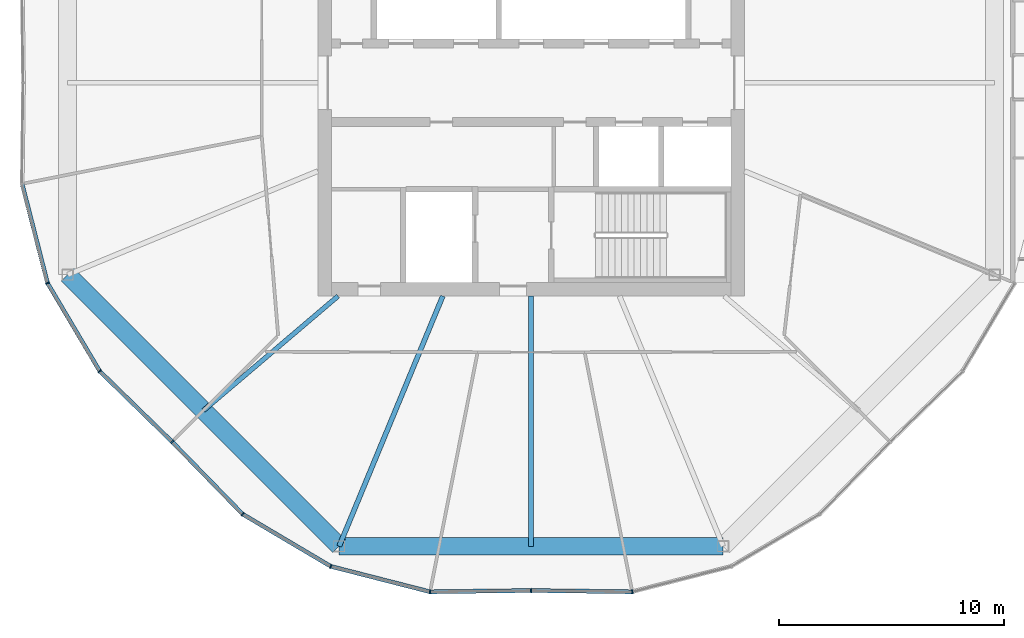
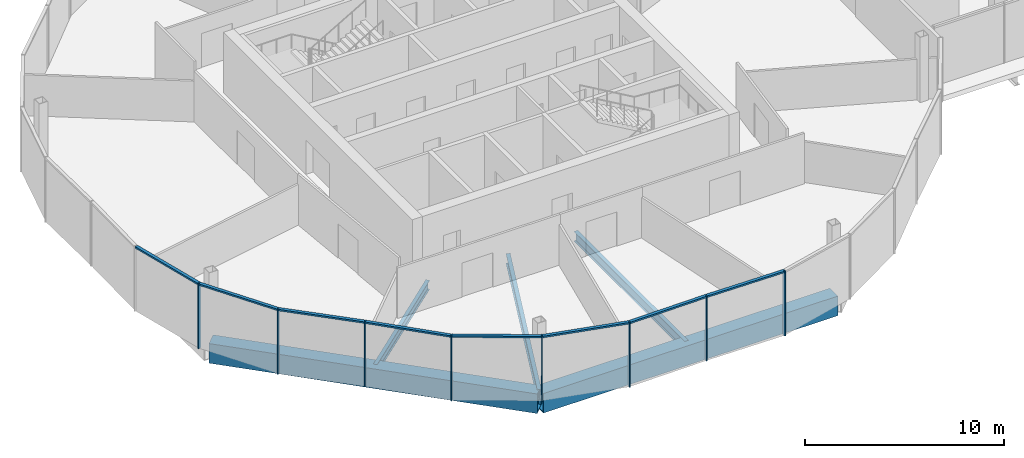
# One storey, part 3 of 26: 16 members, 5 beams, 3 elements without a shape of their own.
"""IFC4 building model written with IfcOpenShell, lengths in metres."""

from ifc_helpers import new_model, si_unit, direction, frame, origin, origin_2d, place, context, subcontext, project, spatial, rectangle, hollow_rectangle, i_section, extrude, material, material_profile, profile_set, type_object, element, aggregate, save


model = new_model("IFC4")

# Units and contexts
model_context = context("Model", 3, precision=1e-05, world=origin(), true_north=direction((0.0, 1.0)))
body_context = subcontext(model_context, "Body", "Model", "MODEL_VIEW")
ifc_project = project(units=[si_unit("LENGTHUNIT", "METRE"), si_unit("AREAUNIT", "SQUARE_METRE"), si_unit("VOLUMEUNIT", "CUBIC_METRE"), si_unit("PLANEANGLEUNIT", "RADIAN"), si_unit("MASSUNIT", "GRAM", prefix="KILO")], contexts=[model_context])

# Site, building, storey
site_placement = place(None, origin())
site = spatial("IfcSite", under=ifc_project, at=site_placement, CompositionType="ELEMENT")
building_placement = place(site_placement, origin())
building = spatial("IfcBuilding", under=site, at=building_placement, Name="Ogive Gate Towers", CompositionType="ELEMENT")
storey_placement = place(building_placement, frame((0.0, 0.0, 148.800048828125)))
storey = spatial("IfcBuildingStorey", under=building, at=storey_placement, Name="L35", CompositionType="ELEMENT", Elevation=148.800048828125)

# Beams
ifc_material_1 = material(Name="Steel SM460", Category="steel")
ifc_material_profile_1 = material_profile(ifc_material_1, hollow_rectangle(XDim=0.800048828125, YDim=1.199951171875, WallThickness=0.050048828125, at=origin_2d()), Name="BX 1200x800x50")
ifc_profile_set_1 = profile_set([ifc_material_profile_1], Name="Steel SM460")
beam_type_1 = type_object("IfcBeamType", Name="Edge girder BX 1200x800x50", PredefinedType="BEAM", material=ifc_profile_set_1)
beam_1_placement = place(storey_placement, frame((-56.639404296875, -8.549072265625, -0.900146484375), z_axis=(0.707106781187, -0.707106781187, 0.0), x_axis=(0.707106781187, 0.707106781187, 0.0)))
element("IfcBeam", 1, at=beam_1_placement, inside=storey, type_object=beam_type_1, Name="T1/L35/SBM017", PredefinedType="BEAM", context=body_context, shape_type="SweptSolid", body=[
    extrude(hollow_rectangle(XDim=0.800048828125, YDim=1.199951171875, WallThickness=0.050048828125, at=origin_2d()), origin(), (0.0, 0.0, 1.0), 17.098388671875),
])
beam_2_placement = place(storey_placement, frame((-44.549072265625, -20.639404296875, -0.900146484375), z_axis=(1.0, 0.0, 0.0), x_axis=(0.0, 1.0, 0.0)))
element("IfcBeam", 2, at=beam_2_placement, inside=storey, type_object=beam_type_1, Name="T1/L35/SBM018", PredefinedType="BEAM", context=body_context, shape_type="SweptSolid", body=[
    extrude(hollow_rectangle(XDim=0.800048828125, YDim=1.199951171875, WallThickness=0.050048828125, at=origin_2d()), origin(), (0.0, 0.0, 1.0), 17.09814453125),
])
ifc_material_2 = material(Name="Steel SM355", Category="steel")
ifc_material_profile_2 = material_profile(ifc_material_2, i_section(OverallWidth=0.2099609375, OverallDepth=0.550048828125, WebThickness=0.010986328125, FlangeThickness=0.01708984375, FilletRadius=0.02392578125, at=origin_2d()), Name="IPE 550")
ifc_profile_set_2 = profile_set([ifc_material_profile_2], Name="Steel SM355")
beam_type_2 = type_object("IfcBeamType", Name="Radial floor beam IPE 550", PredefinedType="BEAM", material=ifc_profile_set_2)
beam_3_placement = place(storey_placement, frame((-44.60009765625, -9.5, -0.574951171875), z_axis=(-0.761988324045, -0.647590761222, 0.0), x_axis=(0.647590761222, -0.761988324045, 0.0)))
element("IfcBeam", 3, at=beam_3_placement, inside=storey, type_object=beam_type_2, Name="T1/L35/SBM002", PredefinedType="BEAM", context=body_context, shape_type="SweptSolid", body=[
    extrude(i_section(OverallWidth=0.2099609375, OverallDepth=0.550048828125, WebThickness=0.010986328125, FlangeThickness=0.01708984375, FilletRadius=0.02392578125, at=origin_2d()), origin(), (0.0, 0.0, 1.0), 7.866455078125),
])
ifc_material_profile_3 = material_profile(ifc_material_2, i_section(OverallWidth=0.219970703125, OverallDepth=0.60009765625, WebThickness=0.011962890625, FlangeThickness=0.01904296875, FilletRadius=0.02392578125, at=origin_2d()), Name="IPE 600")
ifc_profile_set_3 = profile_set([ifc_material_profile_3], Name="Steel SM355")
beam_type_3 = type_object("IfcBeamType", Name="Radial floor beam IPE 600", PredefinedType="BEAM", material=ifc_profile_set_3)
beam_4_placement = place(storey_placement, frame((-39.93505859375, -9.5, -0.60009765625), z_axis=(-0.382677863518, -0.923881839184, 0.0), x_axis=(0.923881839184, -0.382677863518, 0.0)))
element("IfcBeam", 4, at=beam_4_placement, inside=storey, type_object=beam_type_3, Name="T1/L35/SBM003", PredefinedType="BEAM", context=body_context, shape_type="SweptSolid", body=[
    extrude(i_section(OverallWidth=0.219970703125, OverallDepth=0.60009765625, WebThickness=0.011962890625, FlangeThickness=0.01904296875, FilletRadius=0.02392578125, at=origin_2d()), origin(), (0.0, 0.0, 1.0), 12.05712890625),
])
beam_5_placement = place(storey_placement, frame((-36.0, -9.5, -0.60009765625), z_axis=(0.0, -1.0, 0.0), x_axis=(1.0, 0.0, 0.0)))
element("IfcBeam", 5, at=beam_5_placement, inside=storey, type_object=beam_type_3, Name="T1/L35/SBM004", PredefinedType="BEAM", context=body_context, shape_type="SweptSolid", body=[
    extrude(i_section(OverallWidth=0.219970703125, OverallDepth=0.60009765625, WebThickness=0.011962890625, FlangeThickness=0.01904296875, FilletRadius=0.02392578125, at=origin_2d()), origin(), (0.0, 0.0, 1.0), 11.139404296875),
])

# Curtain wall, members
ifc_material_3 = material(Name="Pale metal aluminium", Category="aluminium")
curtain_wall_type = type_object("IfcCurtainWallType", Name="Tower unitised wall, high zone", PredefinedType="NOTDEFINED", material=ifc_material_3)
curtain_wall_1_placement = place(storey_placement, origin())
curtain_wall_1 = element("IfcCurtainWall", 6, at=curtain_wall_1_placement, inside=storey, type_object=curtain_wall_type, Name="CW2 T1 ECW05", PredefinedType="NOTDEFINED")
ifc_material_profile_4 = material_profile(ifc_material_3, rectangle(XDim=0.179931640625, YDim=0.06005859375, at=origin_2d()), Name="60 x 180 aluminium box")
ifc_profile_set_4 = profile_set([ifc_material_profile_4], Name="Pale metal aluminium")
member_type_1 = type_object("IfcMemberType", Name="Tower unitised wall, high zone mullion 60 x 180", PredefinedType="MULLION", material=ifc_profile_set_4)
member_1_placement = place(storey_placement, frame((-57.53662109375, -8.9208984375, -0.300048828125), z_axis=(0.0, 0.0, 1.0), x_axis=(-0.923879532511, -0.382683432365, 0.0)))
member_1 = element("IfcMember", 7, at=member_1_placement, type_object=member_type_1, Name="CW2 mullion", PredefinedType="MULLION", context=body_context, shape_type="SweptSolid", body=[
    extrude(rectangle(XDim=0.179931640625, YDim=0.06005859375, at=origin_2d()), origin(), (0.0, 0.0, 1.0), 4.0),
])
member_2_placement = place(storey_placement, frame((-55.2119140625, -12.845458984375, -0.300048828125), z_axis=(0.0, 0.0, 1.0), x_axis=(-0.78599718536, -0.618230074168, 0.0)))
member_2 = element("IfcMember", 8, at=member_2_placement, type_object=member_type_1, Name="CW2 mullion", PredefinedType="MULLION", context=body_context, shape_type="SweptSolid", body=[
    extrude(rectangle(XDim=0.179931640625, YDim=0.06005859375, at=origin_2d()), origin(), (0.0, 0.0, 1.0), 4.0),
])
member_3_placement = place(storey_placement, frame((-51.98779296875, -15.987548828125, -0.300048828125), z_axis=(0.0, 0.0, 1.0), x_axis=(-0.697977963337, -0.716119237764, 0.0)))
member_3 = element("IfcMember", 9, at=member_3_placement, type_object=member_type_1, Name="CW2 mullion", PredefinedType="MULLION", context=body_context, shape_type="SweptSolid", body=[
    extrude(rectangle(XDim=0.179931640625, YDim=0.06005859375, at=origin_2d()), origin(), (0.0, 0.0, 1.0), 4.0),
])

curtain_wall_2_placement = place(storey_placement, origin())
curtain_wall_2 = element("IfcCurtainWall", 10, at=curtain_wall_2_placement, inside=storey, type_object=curtain_wall_type, Name="CW2 T1 ECW06", PredefinedType="NOTDEFINED")
member_4_placement = place(storey_placement, frame((-48.845458984375, -19.2119140625, -0.300048828125), z_axis=(0.0, 0.0, 1.0), x_axis=(-0.618230074168, -0.78599718536, 0.0)))
member_4 = element("IfcMember", 11, at=member_4_placement, type_object=member_type_1, Name="CW2 mullion", PredefinedType="MULLION", context=body_context, shape_type="SweptSolid", body=[
    extrude(rectangle(XDim=0.179931640625, YDim=0.06005859375, at=origin_2d()), origin(), (0.0, 0.0, 1.0), 4.0),
])
member_5_placement = place(storey_placement, frame((-44.9208984375, -21.53662109375, -0.300048828125), z_axis=(0.0, 0.0, 1.0), x_axis=(-0.382683432365, -0.923879532511, 0.0)))
member_5 = element("IfcMember", 12, at=member_5_placement, type_object=member_type_1, Name="CW2 mullion", PredefinedType="MULLION", context=body_context, shape_type="SweptSolid", body=[
    extrude(rectangle(XDim=0.179931640625, YDim=0.06005859375, at=origin_2d()), origin(), (0.0, 0.0, 1.0), 4.0),
])
member_6_placement = place(storey_placement, frame((-40.501708984375, -22.66796875, -0.300048828125), z_axis=(0.0, 0.0, 1.0), x_axis=(-0.118611931918, -0.992940687859, 0.0)))
member_6 = element("IfcMember", 13, at=member_6_placement, type_object=member_type_1, Name="CW2 mullion", PredefinedType="MULLION", context=body_context, shape_type="SweptSolid", body=[
    extrude(rectangle(XDim=0.179931640625, YDim=0.06005859375, at=origin_2d()), origin(), (0.0, 0.0, 1.0), 4.0),
])
member_7_placement = place(storey_placement, frame((-36.0, -22.610107421875, -0.300048828125), z_axis=(0.0, 0.0, 1.0), x_axis=(0.012827818167, -0.999917720156, 0.0)))
member_7 = element("IfcMember", 14, at=member_7_placement, type_object=member_type_1, Name="CW2 mullion", PredefinedType="MULLION", context=body_context, shape_type="SweptSolid", body=[
    extrude(rectangle(XDim=0.179931640625, YDim=0.06005859375, at=origin_2d()), origin(), (0.0, 0.0, 1.0), 4.0),
])

# Curtain wall, member
curtain_wall_3_placement = place(storey_placement, origin())
curtain_wall_3 = element("IfcCurtainWall", 15, at=curtain_wall_3_placement, inside=storey, type_object=curtain_wall_type, Name="CW2 T1 ECW07", PredefinedType="NOTDEFINED")
member_8_placement = place(storey_placement, frame((-31.498291015625, -22.66796875, -0.300048828125), z_axis=(0.0, 0.0, 1.0), x_axis=(0.118611931918, -0.992940687859, 0.0)))
member_8 = element("IfcMember", 16, at=member_8_placement, type_object=member_type_1, Name="CW2 mullion", PredefinedType="MULLION", context=body_context, shape_type="SweptSolid", body=[
    extrude(rectangle(XDim=0.179931640625, YDim=0.06005859375, at=origin_2d()), origin(), (0.0, 0.0, 1.0), 4.0),
])

# Member
ifc_material_profile_5 = material_profile(ifc_material_3, rectangle(XDim=0.179931640625, YDim=0.10009765625, at=origin_2d()), Name="100 x 180 aluminium box")
ifc_profile_set_5 = profile_set([ifc_material_profile_5], Name="Pale metal aluminium")
member_type_2 = type_object("IfcMemberType", Name="Tower unitised wall, high zone transom 100 x 180", PredefinedType="USERDEFINED", material=ifc_profile_set_5)
member_9_placement = place(storey_placement, frame((-58.66064453125, -4.529541015625, 3.64990234375), z_axis=(0.247977586132, -0.968765769821, 0.0), x_axis=(0.968765769821, 0.247977586132, 0.0)))
member_9 = element("IfcMember", 17, at=member_9_placement, type_object=member_type_2, Name="CW2 transom", ObjectType="TRANSOM", PredefinedType="USERDEFINED", context=body_context, shape_type="SweptSolid", body=[
    extrude(rectangle(XDim=0.179931640625, YDim=0.10009765625, at=origin_2d()), origin(), (0.0, 0.0, 1.0), 4.504150390625),
])

member_10_placement = place(storey_placement, frame((-57.52197265625, -8.9453125, 3.64990234375), z_axis=(0.509649354625, -0.860382203053, 0.0), x_axis=(0.860382203053, 0.509649354625, 0.0)))
member_10 = element("IfcMember", 18, at=member_10_placement, type_object=member_type_2, Name="CW2 transom", ObjectType="TRANSOM", PredefinedType="USERDEFINED", context=body_context, shape_type="SweptSolid", body=[
    extrude(rectangle(XDim=0.179931640625, YDim=0.10009765625, at=origin_2d()), origin(), (0.0, 0.0, 1.0), 4.50439453125),
])

member_11_placement = place(storey_placement, frame((-55.191162109375, -12.865478515625, 3.64990234375), z_axis=(0.716114793558, -0.697982523024, 0.0), x_axis=(0.697982523024, 0.716114793558, 0.0)))
member_11 = element("IfcMember", 19, at=member_11_placement, type_object=member_type_2, Name="CW2 transom", ObjectType="TRANSOM", PredefinedType="USERDEFINED", context=body_context, shape_type="SweptSolid", body=[
    extrude(rectangle(XDim=0.179931640625, YDim=0.10009765625, at=origin_2d()), origin(), (0.0, 0.0, 1.0), 4.443359375),
])

aggregate(curtain_wall_1, [member_1, member_9, member_2, member_10, member_3, member_11])

member_12_placement = place(storey_placement, frame((-51.966796875, -16.00927734375, 3.64990234375), z_axis=(0.697982523024, -0.716114793558, 0.0), x_axis=(0.716114793558, 0.697982523024, 0.0)))
member_12 = element("IfcMember", 20, at=member_12_placement, type_object=member_type_2, Name="CW2 transom", ObjectType="TRANSOM", PredefinedType="USERDEFINED", context=body_context, shape_type="SweptSolid", body=[
    extrude(rectangle(XDim=0.179931640625, YDim=0.10009765625, at=origin_2d()), origin(), (0.0, 0.0, 1.0), 4.443359375),
])

member_13_placement = place(storey_placement, frame((-48.82080078125, -19.226318359375, 3.64990234375), z_axis=(0.860382203053, -0.509649354625, 0.0), x_axis=(0.509649354625, 0.860382203053, 0.0)))
member_13 = element("IfcMember", 21, at=member_13_placement, type_object=member_type_2, Name="CW2 transom", ObjectType="TRANSOM", PredefinedType="USERDEFINED", context=body_context, shape_type="SweptSolid", body=[
    extrude(rectangle(XDim=0.179931640625, YDim=0.10009765625, at=origin_2d()), origin(), (0.0, 0.0, 1.0), 4.50439453125),
])

member_14_placement = place(storey_placement, frame((-44.89306640625, -21.543701171875, 3.64990234375), z_axis=(0.968765769821, -0.247977586132, 0.0), x_axis=(0.247977586132, 0.968765769821, 0.0)))
member_14 = element("IfcMember", 22, at=member_14_placement, type_object=member_type_2, Name="CW2 transom", ObjectType="TRANSOM", PredefinedType="USERDEFINED", context=body_context, shape_type="SweptSolid", body=[
    extrude(rectangle(XDim=0.179931640625, YDim=0.10009765625, at=origin_2d()), origin(), (0.0, 0.0, 1.0), 4.504150390625),
])

member_15_placement = place(storey_placement, frame((-40.472900390625, -22.66748046875, 3.64990234375), z_axis=(0.999917339021, 0.012857492984, 0.0), x_axis=(-0.012857492984, 0.999917339021, 0.0)))
member_15 = element("IfcMember", 23, at=member_15_placement, type_object=member_type_2, Name="CW2 transom", ObjectType="TRANSOM", PredefinedType="USERDEFINED", context=body_context, shape_type="SweptSolid", body=[
    extrude(rectangle(XDim=0.179931640625, YDim=0.10009765625, at=origin_2d()), origin(), (0.0, 0.0, 1.0), 4.443359375),
])

aggregate(curtain_wall_2, [member_4, member_12, member_5, member_13, member_6, member_14, member_7, member_15])

member_16_placement = place(storey_placement, frame((-35.969970703125, -22.6103515625, 3.64990234375), z_axis=(0.999917339021, -0.012857492984, 0.0), x_axis=(0.012857492984, 0.999917339021, 0.0)))
member_16 = element("IfcMember", 24, at=member_16_placement, type_object=member_type_2, Name="CW2 transom", ObjectType="TRANSOM", PredefinedType="USERDEFINED", context=body_context, shape_type="SweptSolid", body=[
    extrude(rectangle(XDim=0.179931640625, YDim=0.10009765625, at=origin_2d()), origin(), (0.0, 0.0, 1.0), 4.443359375),
])

aggregate(curtain_wall_3, [member_8, member_16])

save(model, "model.ifc")
